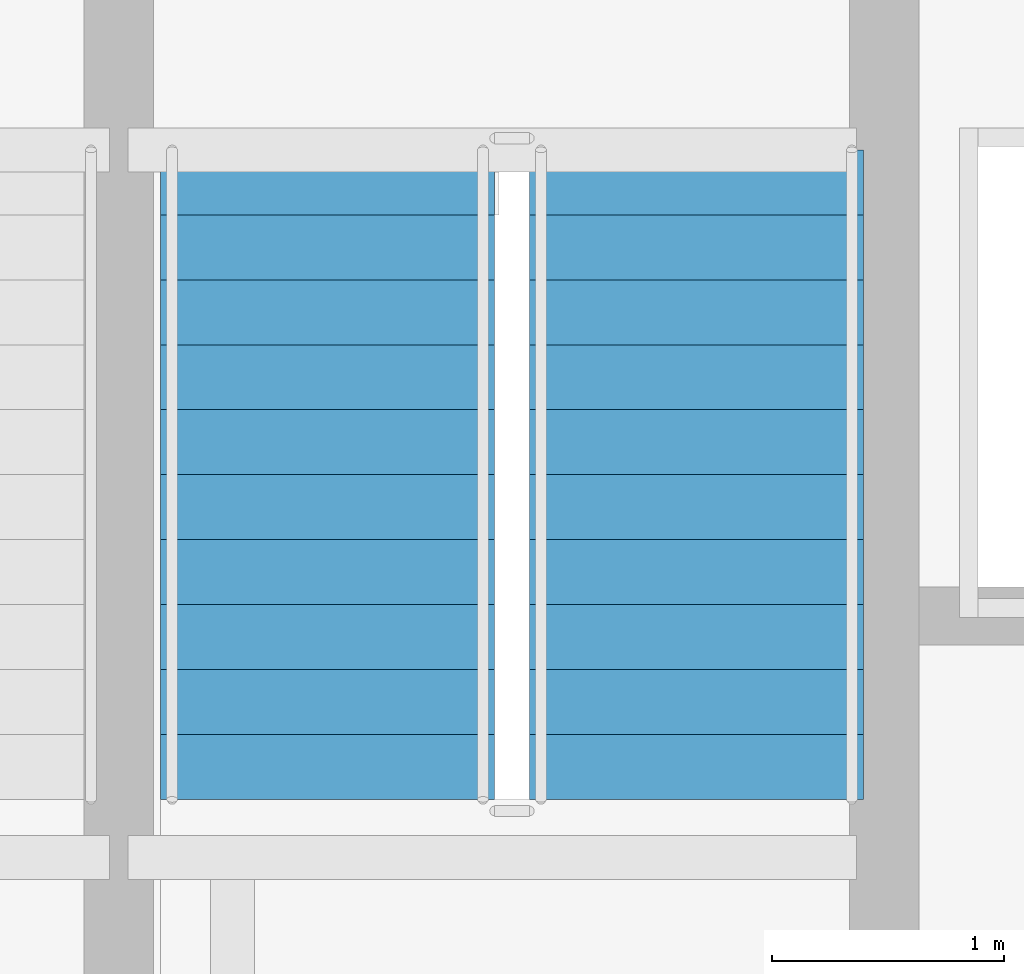
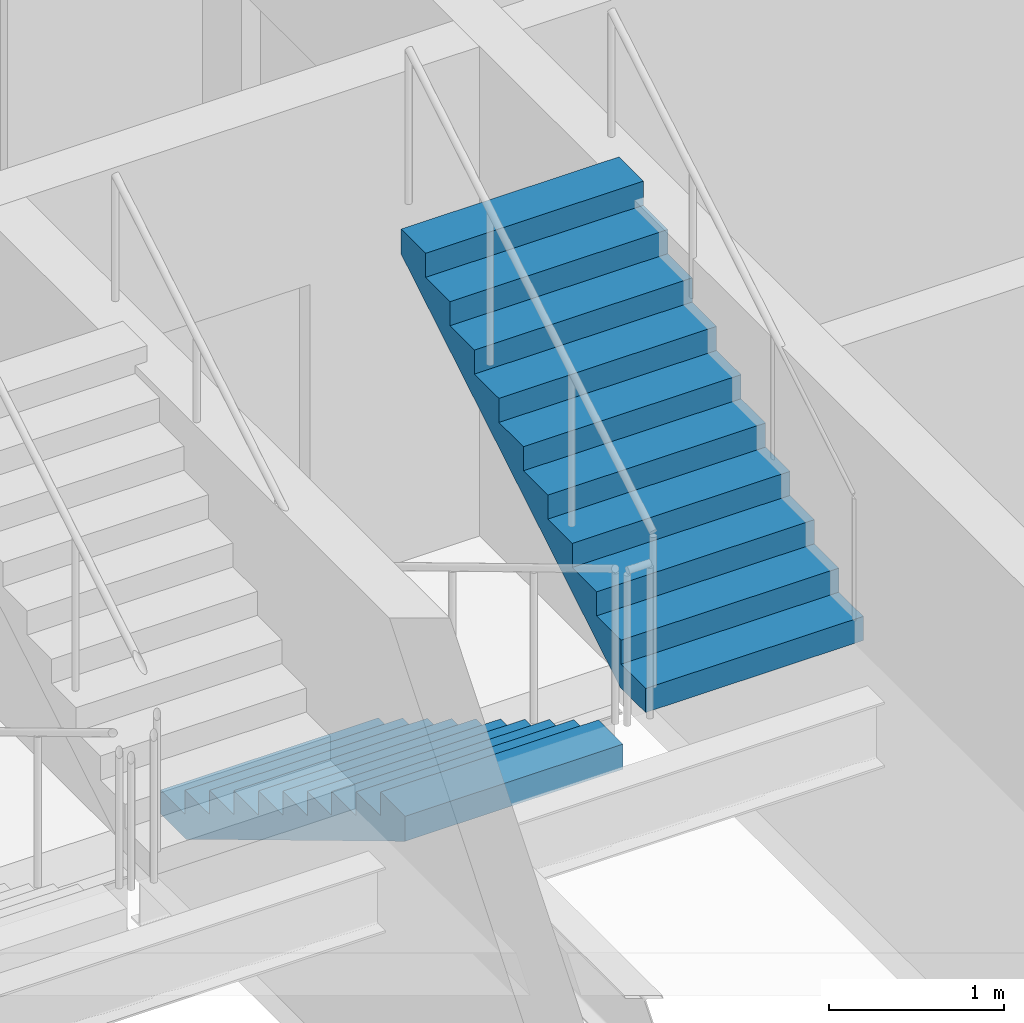
# One storey, part 24 of 29: 2 stair flights, 1 element without a shape of its own.
"""IFC4 building model written with IfcOpenShell, lengths in metres."""

from ifc_helpers import new_model, si_unit, direction, frame, origin, place, context, subcontext, project, spatial, polyline, outline, extrude, material, layer, layer_set, type_object, element, aggregate, save


model = new_model("IFC4")

# Units and contexts
model_context = context("Model", 3, precision=1e-05, world=origin(), true_north=direction((0.0, 1.0)))
body_context = subcontext(model_context, "Body", "Model", "MODEL_VIEW")
ifc_project = project(units=[si_unit("LENGTHUNIT", "METRE"), si_unit("AREAUNIT", "SQUARE_METRE"), si_unit("VOLUMEUNIT", "CUBIC_METRE"), si_unit("PLANEANGLEUNIT", "RADIAN"), si_unit("MASSUNIT", "GRAM", prefix="KILO")], contexts=[model_context])

# Site, building, storey
site_placement = place(None, origin())
site = spatial("IfcSite", under=ifc_project, at=site_placement, CompositionType="ELEMENT")
building_placement = place(site_placement, origin())
building = spatial("IfcBuilding", under=site, at=building_placement, Name="Solvaryn Broadcast Tower", CompositionType="ELEMENT")
storey_placement = place(building_placement, frame((0.0, 0.0, 128.5)))
storey = spatial("IfcBuildingStorey", under=building, at=storey_placement, Name="L31", CompositionType="ELEMENT", Elevation=128.5)

# Stair, stair flights
ifc_material_1 = material(Name="Concrete f'c 60 MPa", Category="concrete")
stair_type = type_object("IfcStairType", Name="ST-CORE", PredefinedType="HALF_TURN_STAIR", material=ifc_material_1)
stair_placement = place(storey_placement, origin())
stair = element("IfcStair", 1, at=stair_placement, inside=storey, type_object=stair_type, Name="L31 ST2", PredefinedType="HALF_TURN_STAIR")
ifc_material_2 = material(Name="Concrete f'c 60 MPa", Category="concrete")
ifc_layer = layer(ifc_material_2, 0.159912109375)
ifc_layer_set = layer_set([ifc_layer], Name="SF-CORE")
stair_flight_type = type_object("IfcStairFlightType", Name="SF-CORE", PredefinedType="STRAIGHT", material=ifc_layer_set)
stair_flight_1_placement = place(storey_placement, frame((15.52001953125, 35.9599609375, 0.0), z_axis=(0.0, 0.0, 1.0), x_axis=(0.0, -1.0, 0.0)))
stair_flight_1 = element("IfcStairFlight", 2, at=stair_flight_1_placement, type_object=stair_flight_type, Name="ST2 flight 1", NumberOfRisers=11, NumberOfTreads=10, PredefinedType="STRAIGHT", RiserHeight=0.168181818, TreadLength=0.28, context=body_context, shape_type="SweptSolid", body=[
    extrude(outline(polyline([(0.0, 0.0), (0.0, 0.168212890625), (0.280029296875, 0.168212890625), (0.280029296875, 0.33642578125), (0.56005859375, 0.33642578125), (0.56005859375, 0.504638671875), (0.840087890625, 0.504638671875), (0.840087890625, 0.672607421875), (1.1201171875, 0.672607421875), (1.1201171875, 0.8408203125), (1.39990234375, 0.8408203125), (1.39990234375, 1.009033203125), (1.679931640625, 1.009033203125), (1.679931640625, 1.17724609375), (1.9599609375, 1.17724609375), (1.9599609375, 1.345458984375), (2.239990234375, 1.345458984375), (2.239990234375, 1.513671875), (2.52001953125, 1.513671875), (2.52001953125, 1.681884765625), (2.800048828125, 1.681884765625), (2.800048828125, 1.85009765625), (2.800048828125, 1.5068359375), (0.291015625, 0.0), (0.0, 0.0)])), frame((0.0, 0.719970703125, 0.0), z_axis=(0.0, -1.0, 0.0), x_axis=(1.0, 0.0, 0.0)), (0.0, 0.0, 1.0), 1.43994140625),
])
stair_flight_2_placement = place(storey_placement, frame((17.110107421875, 33.159912109375, 1.85009765625), z_axis=(0.0, 0.0, 1.0), x_axis=(0.0, 1.0, 0.0)))
stair_flight_2 = element("IfcStairFlight", 3, at=stair_flight_2_placement, type_object=stair_flight_type, Name="ST2 flight 2", NumberOfRisers=11, NumberOfTreads=10, PredefinedType="STRAIGHT", RiserHeight=0.168181818, TreadLength=0.28, context=body_context, shape_type="SweptSolid", body=[
    extrude(outline(polyline([(0.0, 0.0), (0.0, 0.168212890625), (0.280029296875, 0.168212890625), (0.280029296875, 0.33642578125), (0.56005859375, 0.33642578125), (0.56005859375, 0.504638671875), (0.840087890625, 0.504638671875), (0.840087890625, 0.672607421875), (1.1201171875, 0.672607421875), (1.1201171875, 0.8408203125), (1.39990234375, 0.8408203125), (1.39990234375, 1.009033203125), (1.679931640625, 1.009033203125), (1.679931640625, 1.17724609375), (1.9599609375, 1.17724609375), (1.9599609375, 1.345458984375), (2.239990234375, 1.345458984375), (2.239990234375, 1.513671875), (2.52001953125, 1.513671875), (2.52001953125, 1.681884765625), (2.800048828125, 1.681884765625), (2.800048828125, 1.85009765625), (2.800048828125, 1.5068359375), (0.291015625, 0.0), (0.0, 0.0)])), frame((0.0, 0.719970703125, 0.0), z_axis=(0.0, -1.0, 0.0), x_axis=(1.0, 0.0, 0.0)), (0.0, 0.0, 1.0), 1.43994140625),
])
aggregate(stair, [stair_flight_1, stair_flight_2])

save(model, "model.ifc")
